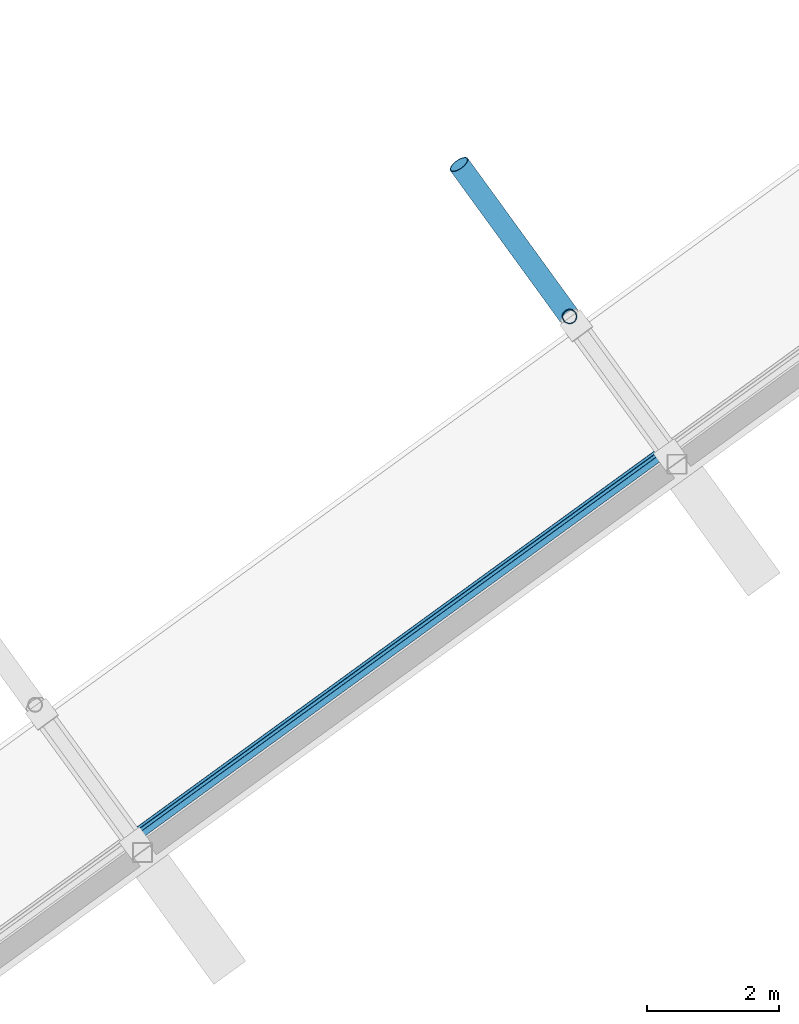
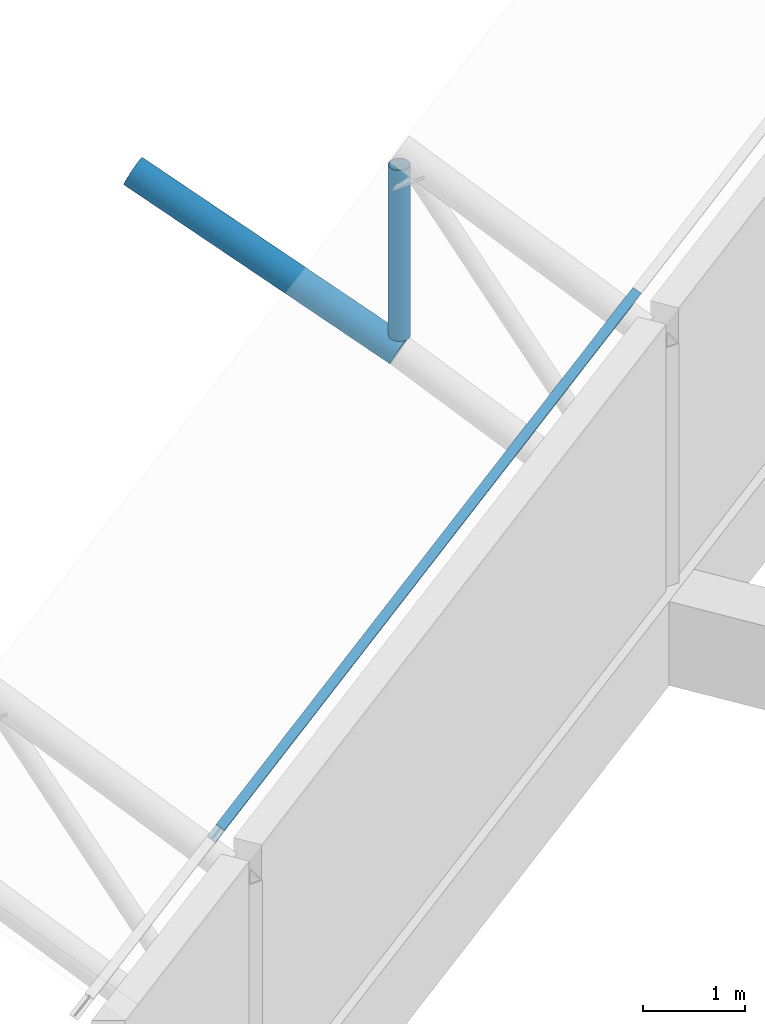
# One storey, part 95 of 196: 2 members, 1 beam.
"""IFC4 building model written with IfcOpenShell, lengths in metres."""

from ifc_helpers import new_model, si_unit, direction, frame, origin, origin_2d, place, context, subcontext, project, spatial, hollow_circle, i_section, extrude, material, material_profile, profile_set, type_object, element, save


model = new_model("IFC4")

# Units and contexts
model_context = context("Model", 3, precision=1e-05, world=origin(), true_north=direction((0.0, 1.0)))
body_context = subcontext(model_context, "Body", "Model", "MODEL_VIEW")
ifc_project = project(units=[si_unit("LENGTHUNIT", "METRE"), si_unit("AREAUNIT", "SQUARE_METRE"), si_unit("VOLUMEUNIT", "CUBIC_METRE"), si_unit("PLANEANGLEUNIT", "RADIAN"), si_unit("MASSUNIT", "GRAM", prefix="KILO")], contexts=[model_context])

# Site, building, storey
site_placement = place(None, origin())
site = spatial("IfcSite", under=ifc_project, at=site_placement, CompositionType="ELEMENT")
building_placement = place(site_placement, origin())
building = spatial("IfcBuilding", under=site, at=building_placement, Name="Okhra Congress Centre", CompositionType="ELEMENT")
storey_placement = place(building_placement, frame((0.0, 0.0, 12.0)))
storey = spatial("IfcBuildingStorey", under=building, at=storey_placement, Name="L02", CompositionType="ELEMENT", Elevation=12.0)

# Members
ifc_material_1 = material(Name="Steel S355J2H", Category="steel")
ifc_material_profile_1 = material_profile(ifc_material_1, hollow_circle(Radius=0.109619140625, WallThickness=0.008056640625, at=origin_2d()), Name="CHS 219.1x8")
ifc_profile_set_1 = profile_set([ifc_material_profile_1], Name="Steel S355J2H")
member_type_1 = type_object("IfcMemberType", Name="CHS 219.1x8", PredefinedType="POST", material=ifc_profile_set_1)
member_1_placement = place(storey_placement, frame((260.546142578125, 181.857177734375, 3.1240234375), z_axis=(0.0, 0.0, 1.0), x_axis=(1.0, 0.0, 0.0)))
element("IfcMember", 1, at=member_1_placement, inside=storey, type_object=member_type_1, Name="Truss 5 post 1", PredefinedType="POST", context=body_context, shape_type="SweptSolid", body=[
    extrude(hollow_circle(Radius=0.109619140625, WallThickness=0.008056640625, at=origin_2d()), origin(), (0.0, 0.0, 1.0), 2.033447265625),
])
ifc_material_profile_2 = material_profile(ifc_material_1, hollow_circle(Radius=0.161865234375, WallThickness=0.012451171875, at=origin_2d()), Name="CHS 323.9x12.5")
ifc_profile_set_2 = profile_set([ifc_material_profile_2], Name="Steel S355J2H")
member_type_2 = type_object("IfcMemberType", Name="CHS 323.9x12.5", PredefinedType="CHORD", material=ifc_profile_set_2)
member_2_placement = place(storey_placement, frame((260.546142578125, 181.857177734375, 2.940673828125), z_axis=(-0.532727224068, 0.733180026938, 0.422668608766), x_axis=(-0.808995610274, -0.587814683856, 0.0)))
element("IfcMember", 2, at=member_2_placement, inside=storey, type_object=member_type_2, Name="Truss 5 bottom chord 2", PredefinedType="CHORD", context=body_context, shape_type="SweptSolid", body=[
    extrude(hollow_circle(Radius=0.161865234375, WallThickness=0.012451171875, at=origin_2d()), origin(), (0.0, 0.0, 1.0), 3.14111328125),
])

# Beam
ifc_material_2 = material(Name="Steel S355J2", Category="steel")
ifc_material_profile_3 = material_profile(ifc_material_2, i_section(OverallWidth=0.10009765625, OverallDepth=0.199951171875, WebThickness=0.005615234375, FlangeThickness=0.008544921875, FilletRadius=0.011962890625, at=origin_2d()), Name="IPE 200")
ifc_profile_set_3 = profile_set([ifc_material_profile_3], Name="Steel S355J2")
beam_type = type_object("IfcBeamType", Name="IPE 200", PredefinedType="BEAM", material=ifc_profile_set_3)
beam_placement = place(storey_placement, frame((253.92041015625, 173.96337890625, 4.29150390625), z_axis=(0.809010490052, 0.58779420462, 0.0), x_axis=(-0.517377276636, 0.712092158826, 0.474600369743)))
element("IfcBeam", 3, at=beam_placement, inside=storey, type_object=beam_type, Name="Purlin 1.4", PredefinedType="BEAM", context=body_context, shape_type="SweptSolid", body=[
    extrude(i_section(OverallWidth=0.10009765625, OverallDepth=0.199951171875, WebThickness=0.005615234375, FlangeThickness=0.008544921875, FilletRadius=0.011962890625, at=origin_2d()), origin(), (0.0, 0.0, 1.0), 10.0),
])

save(model, "model.ifc")
